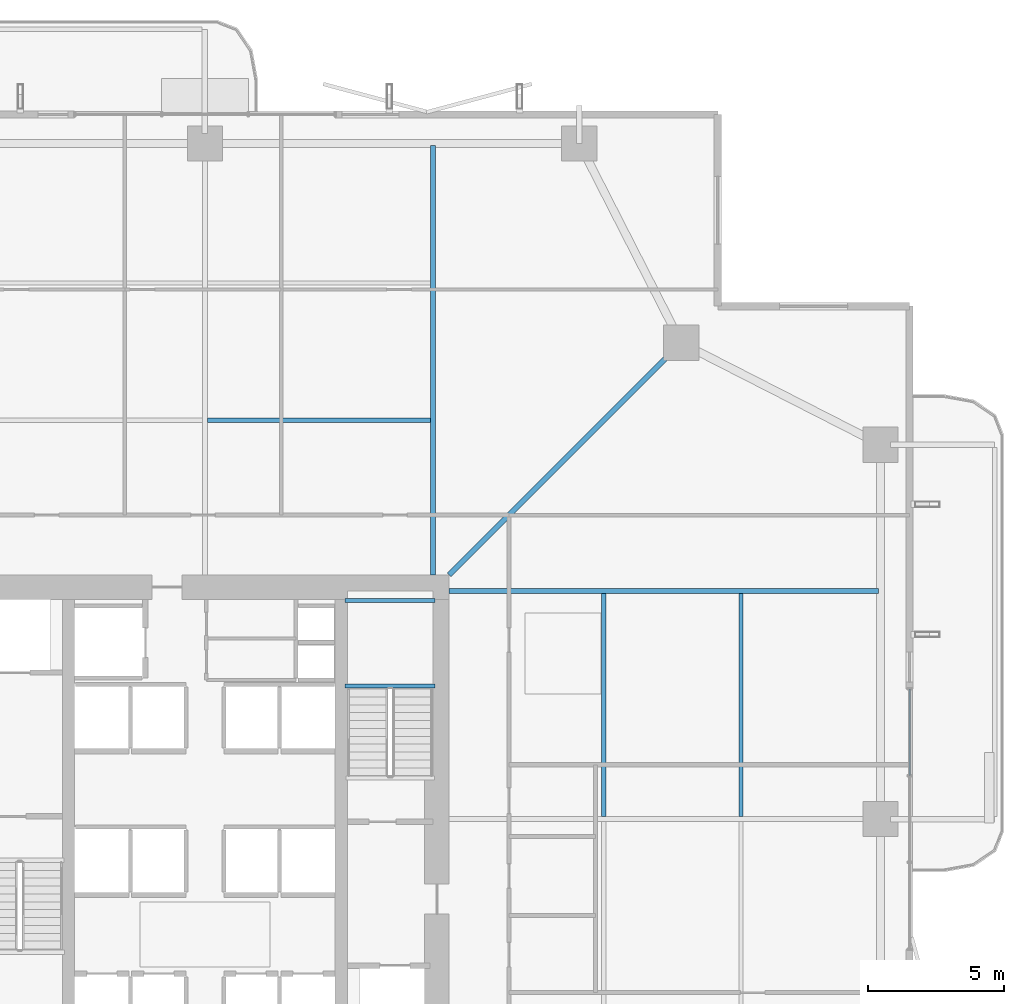
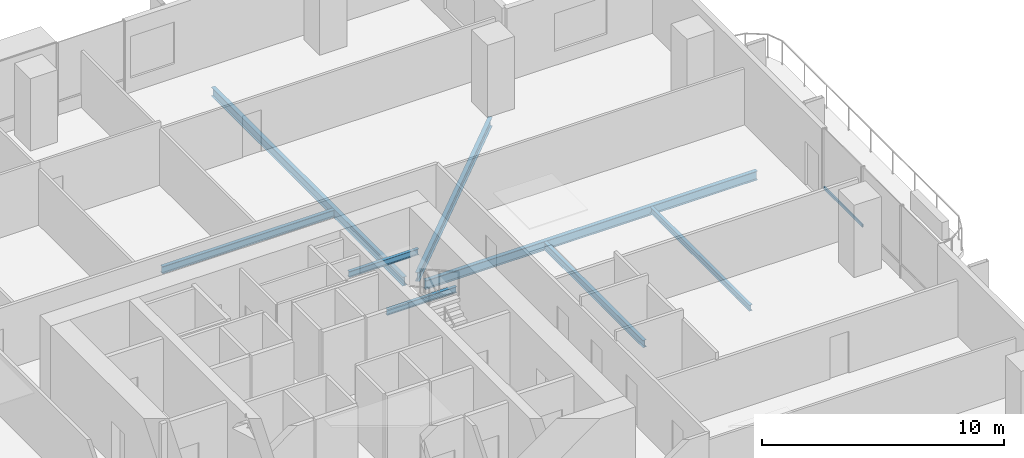
# One storey, part 12 of 24: 8 beams, 1 member, 1 element without a shape of its own.
"""IFC4 building model written with IfcOpenShell, lengths in metres."""

from ifc_helpers import new_model, si_unit, direction, frame, origin, origin_2d, place, context, subcontext, project, spatial, hollow_rectangle, i_section, extrude, material, layer, layer_set, material_profile, profile_set, type_object, element, aggregate, save


model = new_model("IFC4")

# Units and contexts
model_context = context("Model", 3, precision=1e-05, world=origin(), true_north=direction((0.0, 1.0)))
body_context = subcontext(model_context, "Body", "Model", "MODEL_VIEW")
ifc_project = project(units=[si_unit("LENGTHUNIT", "METRE"), si_unit("AREAUNIT", "SQUARE_METRE"), si_unit("VOLUMEUNIT", "CUBIC_METRE"), si_unit("PLANEANGLEUNIT", "RADIAN"), si_unit("MASSUNIT", "GRAM", prefix="KILO")], contexts=[model_context])

# Site, building, storey
site_placement = place(None, origin())
site = spatial("IfcSite", under=ifc_project, at=site_placement, CompositionType="ELEMENT")
building_placement = place(site_placement, origin())
building = spatial("IfcBuilding", under=site, at=building_placement, Name="Belovzor Exchange Tower", CompositionType="ELEMENT")
storey_placement = place(building_placement, frame((0.0, 0.0, 129.0)))
storey = spatial("IfcBuildingStorey", under=building, at=storey_placement, Name="L31", CompositionType="ELEMENT", Elevation=129.0)

# Beams
ifc_material_1 = material(Name="Steel S355", Category="steel")
ifc_material_profile_1 = material_profile(ifc_material_1, i_section(OverallWidth=0.169921875, OverallDepth=0.360107421875, WebThickness=0.008056640625, FlangeThickness=0.0126953125, at=origin_2d()))
ifc_profile_set_1 = profile_set([ifc_material_profile_1], Name="Steel S355")
beam_type_1 = type_object("IfcBeamType", Name="Secondary Infill Floor Joist IPE 360", PredefinedType="BEAM", material=ifc_profile_set_1)
for number, where, z_axis, x_axis, name in (
    (1, (28.89501953125, 43.4970703125, -0.429931640625), (1.0, 0.0, 0.0), (0.0, 1.0, 0.0), "FJ-360 Secondary Infill Floor Joist IPE 360"),
    (2, (43.4970703125, 28.89501953125, -0.429931640625), (0.0, 1.0, 0.0), (-1.0, 0.0, 0.0), "FJ-360 Secondary Infill Floor Joist IPE 360"),
):
    element("IfcBeam", number, at=place(storey_placement, frame(where, z_axis=z_axis, x_axis=x_axis)), inside=storey, type_object=beam_type_1, Name=name, PredefinedType="BEAM", context=body_context, shape_type="SweptSolid", body=[
        extrude(i_section(OverallWidth=0.169921875, OverallDepth=0.360107421875, WebThickness=0.008056640625, FlangeThickness=0.0126953125, at=origin_2d()), origin(), (0.0, 0.0, 1.0), 8.2099609375),
    ])
ifc_material_2 = material(Name="Steel S355", Category="steel")
ifc_material_profile_2 = material_profile(ifc_material_2, i_section(OverallWidth=0.14990234375, OverallDepth=0.300048828125, WebThickness=0.007080078125, FlangeThickness=0.0107421875, at=origin_2d()))
ifc_profile_set_2 = profile_set([ifc_material_profile_2], Name="Steel S355")
beam_type_2 = type_object("IfcBeamType", Name="Secondary Trim Floor Joist IPE 300", PredefinedType="BEAM", material=ifc_profile_set_2)
for number, where, z_axis, x_axis, name in (
    (3, (37.280029296875, 33.7099609375, 1.60009765625), (-1.0, 0.0, 0.0), (0.0, -1.0, 0.0), "FJ-300 Secondary Trim Floor Joist IPE 300"),
    (4, (37.280029296875, 36.85009765625, 1.60009765625), (-1.0, 0.0, 0.0), (0.0, -1.0, 0.0), "FJ-300 Secondary Trim Floor Joist IPE 300"),
):
    element("IfcBeam", number, at=place(storey_placement, frame(where, z_axis=z_axis, x_axis=x_axis)), inside=storey, type_object=beam_type_2, Name=name, PredefinedType="BEAM", context=body_context, shape_type="SweptSolid", body=[
        extrude(i_section(OverallWidth=0.14990234375, OverallDepth=0.300048828125, WebThickness=0.007080078125, FlangeThickness=0.0107421875, at=origin_2d()), origin(), (0.0, 0.0, 1.0), 3.31005859375),
    ])
beam_1_placement = place(storey_placement, frame((48.56103515625, 28.89501953125, -0.39990234375), z_axis=(0.0, 1.0, 0.0), x_axis=(-1.0, 0.0, 0.0)))
element("IfcBeam", 5, at=beam_1_placement, inside=storey, type_object=beam_type_2, Name="FJ-300 Secondary Trim Floor Joist IPE 300", PredefinedType="BEAM", context=body_context, shape_type="SweptSolid", body=[
    extrude(i_section(OverallWidth=0.14990234375, OverallDepth=0.300048828125, WebThickness=0.007080078125, FlangeThickness=0.0107421875, at=origin_2d()), origin(), (0.0, 0.0, 1.0), 8.2099609375),
])

# Curtain wall, member
ifc_material_3 = material(Name="Anodised Aluminium Framing", Category="aluminium")
ifc_layer = layer(ifc_material_3, 0.179931640625)
ifc_layer_set = layer_set([ifc_layer], Name="Anodised Aluminium Framing")
curtain_wall_type = type_object("IfcCurtainWallType", Name="Recessed Loggia Low-Iron Triple-Glazed Curtain Wall", PredefinedType="NOTDEFINED", material=ifc_layer_set)
curtain_wall_placement = place(storey_placement, origin())
curtain_wall = element("IfcCurtainWall", 6, at=curtain_wall_placement, inside=storey, type_object=curtain_wall_type, Name="CW3 Recessed Loggia Low-Iron Triple-Glazed Curtain Wall L31", PredefinedType="NOTDEFINED")
ifc_material_4 = material(Name="Steel S355", Category="steel")
ifc_material_profile_3 = material_profile(ifc_material_4, hollow_rectangle(XDim=0.06005859375, YDim=0.14990234375, WallThickness=0.00390625, at=origin_2d()))
ifc_profile_set_3 = profile_set([ifc_material_profile_3], Name="Steel S355")
member_type = type_object("IfcMemberType", Name="Thermally Broken Curtain Wall Transom 150x60", PredefinedType="USERDEFINED", material=ifc_profile_set_3)
member_placement = place(storey_placement, frame((54.77001953125, 33.592041015625, 0.64990234375), z_axis=(0.0, -1.0, 0.0), x_axis=(1.0, 0.0, 0.0)))
member = element("IfcMember", 7, at=member_placement, type_object=member_type, Name="CW-T150 Curtain Wall Transom 1", ObjectType="TRANSOM", PredefinedType="USERDEFINED", context=body_context, shape_type="SweptSolid", body=[
    extrude(hollow_rectangle(XDim=0.06005859375, YDim=0.14990234375, WallThickness=0.00390625, at=origin_2d()), origin(), (0.0, 0.0, 1.0), 3.18408203125),
])
aggregate(curtain_wall, [member])

# Beams
ifc_material_5 = material(Name="Steel S355", Category="steel")
ifc_material_profile_4 = material_profile(ifc_material_5, i_section(OverallWidth=0.18994140625, OverallDepth=0.449951171875, WebThickness=0.009521484375, FlangeThickness=0.0146484375, at=origin_2d()))
ifc_profile_set_4 = profile_set([ifc_material_profile_4], Name="Steel S355")
beam_type_3 = type_object("IfcBeamType", Name="Zone 2-4 Radial Composite Floor Beam IPE 450", PredefinedType="BEAM", material=ifc_profile_set_4)
for number, where, z_axis, x_axis, name in (
    (8, (37.199951171875, 37.800048828125, -0.47509765625), (0.0, 1.0, 0.0), (-1.0, 0.0, 0.0), "FB-450 Zone 2-4 Radial Composite Floor Beam IPE 450"),
    (9, (37.800048828125, 37.199951171875, -0.47509765625), (1.0, 0.0, 0.0), (0.0, 1.0, 0.0), "FB-450 Zone 2-4 Radial Composite Floor Beam IPE 450"),
):
    element("IfcBeam", number, at=place(storey_placement, frame(where, z_axis=z_axis, x_axis=x_axis)), inside=storey, type_object=beam_type_3, Name=name, PredefinedType="BEAM", context=body_context, shape_type="SweptSolid", body=[
        extrude(i_section(OverallWidth=0.18994140625, OverallDepth=0.449951171875, WebThickness=0.009521484375, FlangeThickness=0.0146484375, at=origin_2d()), origin(), (0.0, 0.0, 1.0), 15.824951171875),
    ])
beam_2_placement = place(storey_placement, frame((37.800048828125, 37.800048828125, -0.47509765625), z_axis=(0.707106781187, 0.707106781187, 0.0), x_axis=(-0.707106781187, 0.707106781187, 0.0)))
element("IfcBeam", 10, at=beam_2_placement, inside=storey, type_object=beam_type_3, Name="FB-450 Zone 2-4 Radial Composite Floor Beam IPE 450", PredefinedType="BEAM", context=body_context, shape_type="SweptSolid", body=[
    extrude(i_section(OverallWidth=0.18994140625, OverallDepth=0.449951171875, WebThickness=0.009521484375, FlangeThickness=0.0146484375, at=origin_2d()), origin(), (0.0, 0.0, 1.0), 11.631591796875),
])

save(model, "model.ifc")
